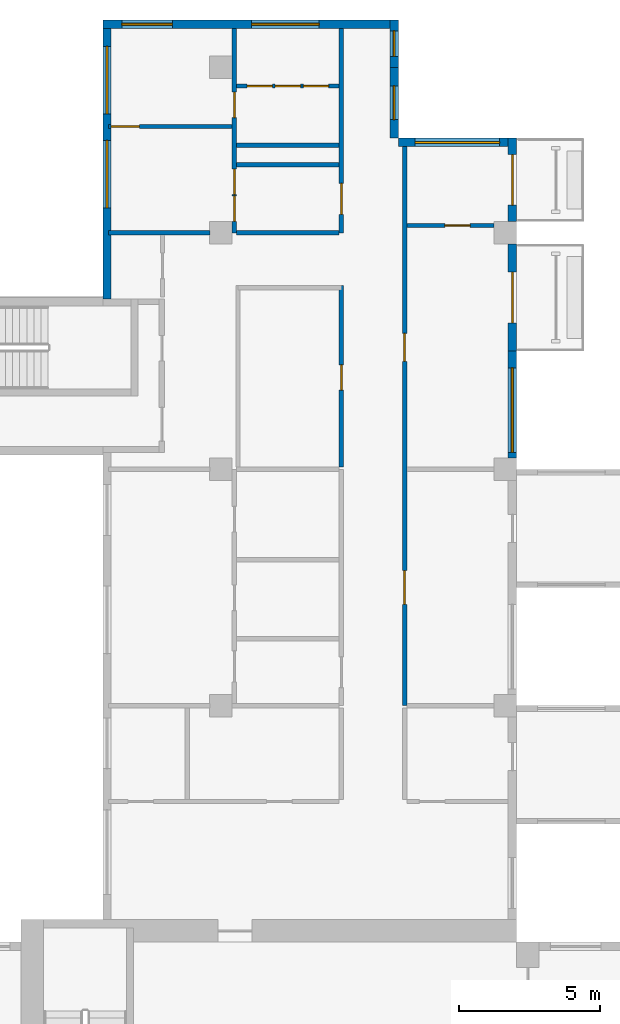
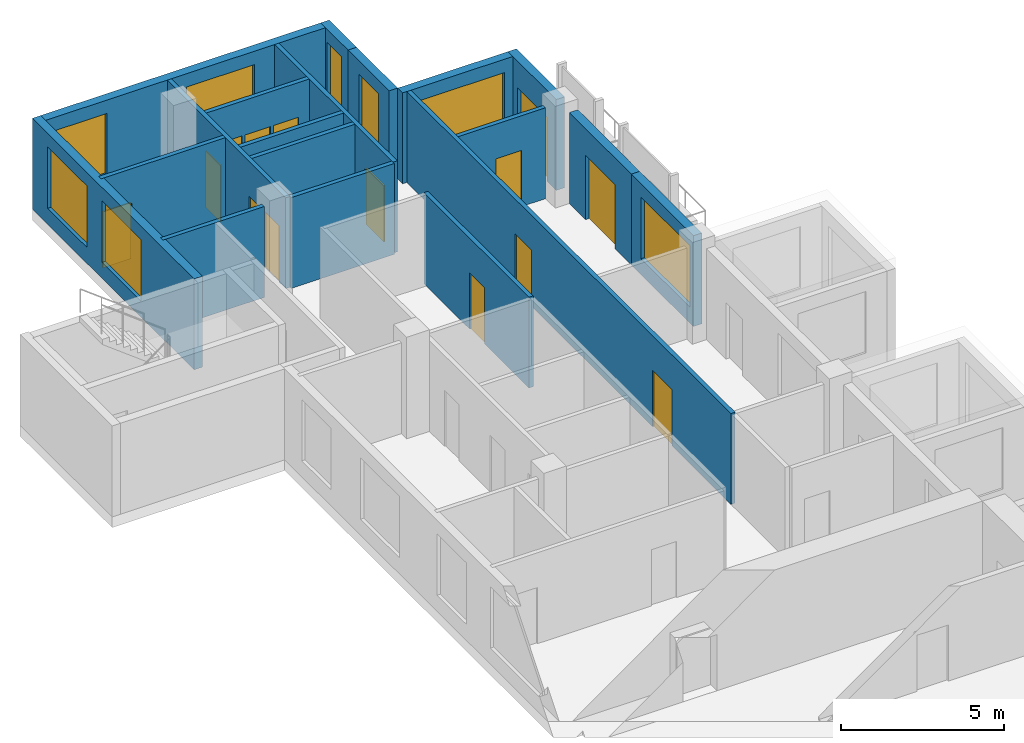
# One storey, part 7 of 11: 19 walls, 14 doors, 8 windows, 22 openings.
"""IFC4 building model written with IfcOpenShell, lengths in metres."""

import ifcopenshell
import ifcopenshell.guid

model = None  # the IFC model being written
_history = None  # IfcOwnerHistory: only IFC2X3 demands one
_inside = {}  # id of a spatial element -> (the spatial element, [elements in it])
_under = {}  # id of a project, library or spatial element -> (it, [spatial elements below it])
_declared = {}  # id of a project -> (the project, [libraries it declares])
_typed = {}  # id of a type object -> (the type object, [elements of that type])
_made_of = {}  # id of a material, layer set ... -> (it, [elements and type objects made of it])


def new_model(schema):
    """Start an empty IFC model of exactly this schema.

    Asked for "IFC4X3", IfcOpenShell would pick the latest addendum, in which some entities
    have other attributes; the version numbers below select the first issue.
    IFC2X3 requires an IfcOwnerHistory on every rooted entity: one is made here for all.
    """
    global model, _history
    if schema == "IFC4X3":
        model = ifcopenshell.file(schema_version=(4, 3, 0, 0))
    else:
        model = ifcopenshell.file(schema=schema)
    _inside.clear()
    _under.clear()
    _declared.clear()
    _typed.clear()
    _made_of.clear()
    _history = None
    if model.schema == "IFC2X3":
        org = make("IfcOrganization", Name="unknown")
        user = make(
            "IfcPersonAndOrganization",
            ThePerson=make("IfcPerson", FamilyName="unknown"),
            TheOrganization=org,
        )
        app = make(
            "IfcApplication",
            ApplicationDeveloper=org,
            Version="unknown",
            ApplicationFullName="unknown",
            ApplicationIdentifier="unknown",
        )
        _history = make(
            "IfcOwnerHistory",
            OwningUser=user,
            OwningApplication=app,
            ChangeAction="ADDED",
            CreationDate=0,
        )
    return model


def make(cls, **values):
    """One entity of the class cls with the attributes given. An attribute that is None is left unset."""
    return model.create_entity(
        cls, **{name: value for name, value in values.items() if value is not None}
    )


def rooted(cls, **values):
    """An entity with a GlobalId (a new one), such as an element, a storey or a relation."""
    return make(cls, GlobalId=ifcopenshell.guid.new(), OwnerHistory=_history, **values)


def si_unit(unit_type, name, prefix=None):
    """IfcSIUnit, for example si_unit("LENGTHUNIT", "METRE", prefix="MILLI")."""
    return make("IfcSIUnit", UnitType=unit_type, Prefix=prefix, Name=name)


def assignment(units):
    """IfcUnitAssignment: the units of a project."""
    return None if units is None else make("IfcUnitAssignment", Units=units)


def point(xyz):
    """IfcCartesianPoint."""
    return None if xyz is None else make("IfcCartesianPoint", Coordinates=xyz)


def direction(xyz):
    """IfcDirection."""
    return None if xyz is None else make("IfcDirection", DirectionRatios=xyz)


def frame(location, z_axis=None, x_axis=None):
    """IfcAxis2Placement3D, a coordinate frame: its origin and axes. An axis left out is left unset."""
    return make(
        "IfcAxis2Placement3D",
        Location=point(location),
        Axis=direction(z_axis),
        RefDirection=direction(x_axis),
    )


def frame_2d(location, x_axis=None):
    """IfcAxis2Placement2D, a coordinate frame in the plane: its origin and x axis."""
    return make(
        "IfcAxis2Placement2D", Location=point(location), RefDirection=direction(x_axis)
    )


def origin():
    """The frame at (0, 0, 0) with its axes left unset."""
    return frame((0.0, 0.0, 0.0))


def place(relative_to, where):
    """IfcLocalPlacement: puts the frame where relative to a parent placement (None: the world)."""
    return make(
        "IfcLocalPlacement", PlacementRelTo=relative_to, RelativePlacement=where
    )


def context(
    kind, dimensions, precision=None, world=None, true_north=None, identifier=None
):
    """IfcGeometricRepresentationContext, for example the 3D "Model" context."""
    return make(
        "IfcGeometricRepresentationContext",
        ContextIdentifier=identifier,
        ContextType=kind,
        CoordinateSpaceDimension=dimensions,
        Precision=precision,
        WorldCoordinateSystem=world,
        TrueNorth=true_north,
    )


def subcontext(parent, identifier, kind, view, scale=None):
    """IfcGeometricRepresentationSubContext, for example "Body" below "Model"."""
    return make(
        "IfcGeometricRepresentationSubContext",
        ContextIdentifier=identifier,
        ContextType=kind,
        ParentContext=parent,
        TargetScale=scale,
        TargetView=view,
    )


def project(units=None, contexts=None):
    """IfcProject with its units and contexts."""
    return rooted(
        "IfcProject",
        Name="project",
        RepresentationContexts=contexts,
        UnitsInContext=assignment(units),
    )


def spatial(cls, under=None, at=None, **own):
    """A site, building, storey or space (cls), placed at a placement, below another one or the project."""
    s = rooted(cls, ObjectPlacement=at, **own)
    if under is not None:
        _under.setdefault(under.id(), (under, []))[1].append(s)
    return s


def profile(cls, at=None, kind="AREA", **sizes):
    """A parametric profile (cls). Its sizes go by their IFC names, for example OverallWidth=200.0."""
    return make(cls, ProfileType=kind, Position=at, **sizes)


def rectangle(**sizes):
    """IfcRectangleProfileDef."""
    return profile("IfcRectangleProfileDef", **sizes)


def extrude(swept, where, along, depth):
    """IfcExtrudedAreaSolid: the profile swept, set in the frame where, extruded along a direction by depth."""
    return make(
        "IfcExtrudedAreaSolid",
        SweptArea=swept,
        Position=where,
        ExtrudedDirection=direction(along),
        Depth=depth,
    )


def shape(context_of_items, identifier, shape_type, items):
    """IfcShapeRepresentation: the items that make up one representation, for example the "Body"."""
    return make(
        "IfcShapeRepresentation",
        ContextOfItems=context_of_items,
        RepresentationIdentifier=identifier,
        RepresentationType=shape_type,
        Items=items,
    )


def source(mapping_origin, context_of_items, identifier, shape_type, items):
    """IfcRepresentationMap: a shape defined once, which mapped items show again and again."""
    return make(
        "IfcRepresentationMap",
        MappingOrigin=mapping_origin,
        MappedRepresentation=shape(context_of_items, identifier, shape_type, items),
    )


def transform(
    local_origin,
    x_axis=None,
    y_axis=None,
    z_axis=None,
    scale=None,
    scale2=None,
    scale3=None,
    uniform=True,
):
    """IfcCartesianTransformationOperator3D, or its non-uniform kind. x_axis, y_axis, z_axis: its Axis1, 2, 3."""
    if uniform:
        return make(
            "IfcCartesianTransformationOperator3D",
            Axis1=direction(x_axis),
            Axis2=direction(y_axis),
            LocalOrigin=point(local_origin),
            Scale=scale,
            Axis3=direction(z_axis),
        )
    return make(
        "IfcCartesianTransformationOperator3DnonUniform",
        Axis1=direction(x_axis),
        Axis2=direction(y_axis),
        LocalOrigin=point(local_origin),
        Scale=scale,
        Axis3=direction(z_axis),
        Scale2=scale2,
        Scale3=scale3,
    )


def mapped(mapping_source, mapping_target):
    """IfcMappedItem: shows the shape of a source again, moved by a transform."""
    return make(
        "IfcMappedItem", MappingSource=mapping_source, MappingTarget=mapping_target
    )


def material(Name=None, Category=None):
    """IfcMaterial."""
    return make("IfcMaterial", Name=Name, Category=Category)


def layer(
    of_material, thickness, ventilated=None, Name=None, Category=None, Priority=None
):
    """IfcMaterialLayer: one layer of a wall or slab, of a material (None: an air gap)."""
    return make(
        "IfcMaterialLayer",
        Material=of_material,
        LayerThickness=thickness,
        IsVentilated=ventilated,
        Name=Name,
        Category=Category,
        Priority=Priority,
    )


def layer_set(layers, Name=None):
    """IfcMaterialLayerSet."""
    return make("IfcMaterialLayerSet", MaterialLayers=layers, LayerSetName=Name)


def made_of(thing, what):
    """Note that an element or type object is made of a material, layer set ...; save() writes the relation."""
    if what is not None:
        _made_of.setdefault(what.id(), (what, []))[1].append(thing)
    return thing


def type_object(cls, material=None, **own):
    """A type object (cls), such as IfcWallType, which elements share."""
    return made_of(rooted(cls, **own), material)


def element(
    cls,
    number,
    at=None,
    inside=None,
    cuts=None,
    type_object=None,
    material=None,
    context=None,
    identifier="Body",
    shape_type=None,
    held_by="IfcProductDefinitionShape",
    body=None,
    shapes=None,
    **own,
):
    """One element of the class cls, such as IfcWall. Its Tag is "e" and its number.

    at: its placement. inside: the storey or other place that contains it. cuts: it is an
    opening in that element (IfcRelVoidsElement). A single representation is given by context,
    identifier, shape_type and body (its items); several are given by shapes. held_by: the class
    of the entity that holds the representations. save() writes the other relations.
    """
    e = rooted(cls, Tag="e%d" % number, ObjectPlacement=at, **own)
    if body is not None:
        shapes = [shape(context, identifier, shape_type, body)]
    if shapes is not None:
        e.Representation = make(held_by, Representations=shapes)
    if inside is not None:
        _inside.setdefault(inside.id(), (inside, []))[1].append(e)
    if cuts is not None:
        rooted(
            "IfcRelVoidsElement", RelatingBuildingElement=cuts, RelatedOpeningElement=e
        )
    if type_object is not None:
        _typed.setdefault(type_object.id(), (type_object, []))[1].append(e)
    return made_of(e, material)


def fill(opening, filler):
    """IfcRelFillsElement: the door or window that sits in an opening."""
    return rooted(
        "IfcRelFillsElement",
        RelatingOpeningElement=opening,
        RelatedBuildingElement=filler,
    )


def aggregate(whole, parts):
    """IfcRelAggregates: a whole, such as a stair, and the parts it consists of."""
    return rooted("IfcRelAggregates", RelatingObject=whole, RelatedObjects=parts)


def save(model, path):
    """Write the relations noted so far, then the file.

    IfcRelAggregates (storeys below a building ...), IfcRelContainedInSpatialStructure (elements
    in a storey), IfcRelDefinesByType, IfcRelAssociatesMaterial and IfcRelDeclares: one each for
    every whole, place, type object, material and project.
    """
    for whole, parts in _under.values():
        aggregate(whole, parts)
    for where, things in _inside.values():
        rooted(
            "IfcRelContainedInSpatialStructure",
            RelatedElements=things,
            RelatingStructure=where,
        )
    for kind, things in _typed.values():
        rooted("IfcRelDefinesByType", RelatedObjects=things, RelatingType=kind)
    for what, things in _made_of.values():
        rooted("IfcRelAssociatesMaterial", RelatedObjects=things, RelatingMaterial=what)
    for by, libraries in _declared.values():
        rooted("IfcRelDeclares", RelatingContext=by, RelatedDefinitions=libraries)
    model.write(path)


model = new_model("IFC4")

# Units and contexts
model_context = context("Model", 3, precision=1e-05, world=origin(), true_north=direction((0.0, 1.0)))
body_context = subcontext(model_context, "Body", "Model", "MODEL_VIEW")
ifc_project = project(units=[si_unit("LENGTHUNIT", "METRE"), si_unit("AREAUNIT", "SQUARE_METRE"), si_unit("VOLUMEUNIT", "CUBIC_METRE"), si_unit("PLANEANGLEUNIT", "RADIAN"), si_unit("MASSUNIT", "GRAM", prefix="KILO")], contexts=[model_context])

# Site, building, storey
site_placement = place(None, origin())
site = spatial("IfcSite", under=ifc_project, at=site_placement, CompositionType="ELEMENT")
building_placement = place(site_placement, origin())
building = spatial("IfcBuilding", under=site, at=building_placement, Name="Aurelian Terraces", CompositionType="ELEMENT")
storey_placement = place(building_placement, frame((0.0, 0.0, 261.4)))
storey = spatial("IfcBuildingStorey", under=building, at=storey_placement, Name="L60", CompositionType="ELEMENT", Elevation=261.4)

# Wall, opening, door
ifc_material_1 = material(Name="Gypsum board on steel studs", Category="steel")
ifc_layer_1 = layer(ifc_material_1, 0.15)
ifc_layer_set_1 = layer_set([ifc_layer_1], Name="Partition 150")
wall_type_1 = type_object("IfcWallType", Name="Partition 150", PredefinedType="PARTITIONING", material=ifc_layer_set_1)
wall_1_placement = place(storey_placement, frame((10.9, 49.98, 0.0), z_axis=(0.0, 0.0, 1.0), x_axis=(-1.0, 0.0, 0.0)))
wall_1 = element("IfcWall", 1, at=wall_1_placement, inside=storey, type_object=wall_type_1, Name="Partition", PredefinedType="PARTITIONING", context=body_context, shape_type="SweptSolid", body=[
    extrude(rectangle(XDim=4.395, YDim=0.15, at=frame_2d((2.1975, 0.0))), origin(), (0.0, 0.0, 1.0), 3.4),
])
shared_shape_1 = source(origin(), body_context, "Body", "SweptSolid", [
    extrude(rectangle(XDim=1.0, YDim=2.1, at=frame_2d((0.5, 1.05))), frame((0.0, 0.085, 0.0), z_axis=(0.0, -1.0, 0.0), x_axis=(1.0, 0.0, 0.0)), (0.0, 0.0, 1.0), 0.17),
])
opening_1_placement = place(wall_1_placement, frame((3.3, 0.0, 0.0)))
opening_1 = element("IfcOpeningElement", 2, at=opening_1_placement, cuts=wall_1, Name="Opening 760029", PredefinedType="OPENING", context=body_context, shape_type="MappedRepresentation", body=[
    mapped(shared_shape_1, transform((0.0, 0.0, 0.0), scale=1.0)),
])
ifc_material_2 = material(Name="Timber door leaf", Category="wood")
door_type_1 = type_object("IfcDoorType", Name="Room door 1000x2100 left", OperationType="SINGLE_SWING_LEFT", PredefinedType="DOOR", material=ifc_material_2)
shared_shape_2 = source(origin(), body_context, "Body", "SweptSolid", [
    extrude(rectangle(XDim=1.0, YDim=2.1, at=frame_2d((0.5, 1.05))), frame((0.0, 0.025, 0.0), z_axis=(0.0, -1.0, 0.0), x_axis=(1.0, 0.0, 0.0)), (0.0, 0.0, 1.0), 0.05),
])
door_1_placement = place(opening_1_placement, origin())
door_1 = element("IfcDoor", 3, at=door_1_placement, inside=storey, type_object=door_type_1, Name="Door 760029", OperationType="SINGLE_SWING_LEFT", OverallHeight=2.1, OverallWidth=1.0, PredefinedType="DOOR", context=body_context, shape_type="MappedRepresentation", body=[
    mapped(shared_shape_2, transform((0.0, 0.0, 0.0), scale=1.0)),
])
fill(opening_1, door_1)

# Wall, opening, window
ifc_material_3 = material(Name="Terracotta rainscreen cladding", Category="masonry")
ifc_layer_2 = layer(ifc_material_3, 0.3)
ifc_layer_set_2 = layer_set([ifc_layer_2], Name="EW-300")
wall_type_2 = type_object("IfcWallType", Name="EW-300", PredefinedType="STANDARD", material=ifc_layer_set_2)
shared_shape_3 = source(origin(), body_context, "Body", "SweptSolid", [
    extrude(rectangle(XDim=4.2, YDim=0.3, at=frame_2d((2.1, 0.0))), origin(), (0.0, 0.0, 1.0), 3.4),
])
wall_2_placement = place(storey_placement, frame((21.0, 49.41, 0.0), z_axis=(0.0, 0.0, 1.0), x_axis=(-1.0, 0.0, 0.0)))
wall_2 = element("IfcWall", 4, at=wall_2_placement, inside=storey, type_object=wall_type_2, Name="External wall L60 F13.25", PredefinedType="STANDARD", context=body_context, shape_type="MappedRepresentation", body=[
    mapped(shared_shape_3, transform((0.0, 0.0, 0.0), scale=1.0)),
])
shared_shape_4 = source(origin(), body_context, "Body", "SweptSolid", [
    extrude(rectangle(XDim=3.0, YDim=2.3, at=frame_2d((1.5, 1.15))), frame((0.0, 0.16, 0.0), z_axis=(0.0, -1.0, 0.0), x_axis=(1.0, 0.0, 0.0)), (0.0, 0.0, 1.0), 0.32),
])
opening_2_placement = place(wall_2_placement, frame((0.6, 0.0, 0.6)))
opening_2 = element("IfcOpeningElement", 5, at=opening_2_placement, cuts=wall_2, Name="Opening W3023", PredefinedType="OPENING", context=body_context, shape_type="MappedRepresentation", body=[
    mapped(shared_shape_4, transform((0.0, 0.0, 0.0), scale=1.0)),
])
ifc_material_4 = material(Name="Clear glazing", Category="glass")
window_type_1 = type_object("IfcWindowType", Name="W-3000x2300", PartitioningType="SINGLE_PANEL", PredefinedType="WINDOW", material=ifc_material_4)
shared_shape_5 = source(origin(), body_context, "Body", "SweptSolid", [
    extrude(rectangle(XDim=3.0, YDim=2.3, at=frame_2d((1.5, 1.15))), frame((0.0, 0.03, 0.0), z_axis=(0.0, -1.0, 0.0), x_axis=(1.0, 0.0, 0.0)), (0.0, 0.0, 1.0), 0.06),
])
window_1_placement = place(opening_2_placement, origin())
window_1 = element("IfcWindow", 6, at=window_1_placement, inside=storey, type_object=window_type_1, Name="Window L60 L60-F13-25-0", OverallHeight=2.3, OverallWidth=3.0, PartitioningType="SINGLE_PANEL", PredefinedType="WINDOW", context=body_context, shape_type="MappedRepresentation", body=[
    mapped(shared_shape_5, transform((0.0, 0.0, 0.0), scale=1.0)),
])
fill(opening_2, window_1)

shared_shape_6 = source(origin(), body_context, "Body", "SweptSolid", [
    extrude(rectangle(XDim=2.52, YDim=0.3, at=frame_2d((1.26, 0.0))), origin(), (0.0, 0.0, 1.0), 3.4),
])
wall_3_placement = place(storey_placement, frame((16.65, 49.56, 0.0), z_axis=(0.0, 0.0, 1.0), x_axis=(0.0, 1.0, 0.0)))
wall_3 = element("IfcWall", 7, at=wall_3_placement, inside=storey, type_object=wall_type_2, Name="External wall L60 F14.26", PredefinedType="STANDARD", context=body_context, shape_type="MappedRepresentation", body=[
    mapped(shared_shape_6, transform((0.0, 0.0, 0.0), scale=1.0)),
])
shared_shape_7 = source(origin(), body_context, "Body", "SweptSolid", [
    extrude(rectangle(XDim=1.2, YDim=2.3, at=frame_2d((0.6, 1.15))), frame((0.0, 0.16, 0.0), z_axis=(0.0, -1.0, 0.0), x_axis=(1.0, 0.0, 0.0)), (0.0, 0.0, 1.0), 0.32),
])
opening_3_placement = place(wall_3_placement, frame((0.66, 0.0, 0.6)))
opening_3 = element("IfcOpeningElement", 8, at=opening_3_placement, cuts=wall_3, Name="Opening W1223", PredefinedType="OPENING", context=body_context, shape_type="MappedRepresentation", body=[
    mapped(shared_shape_7, transform((0.0, 0.0, 0.0), scale=1.0)),
])
window_type_2 = type_object("IfcWindowType", Name="W-1200x2300", PartitioningType="SINGLE_PANEL", PredefinedType="WINDOW", material=ifc_material_4)
shared_shape_8 = source(origin(), body_context, "Body", "SweptSolid", [
    extrude(rectangle(XDim=1.2, YDim=2.3, at=frame_2d((0.6, 1.15))), frame((0.0, 0.03, 0.0), z_axis=(0.0, -1.0, 0.0), x_axis=(1.0, 0.0, 0.0)), (0.0, 0.0, 1.0), 0.06),
])
window_2_placement = place(opening_3_placement, origin())
window_2 = element("IfcWindow", 9, at=window_2_placement, inside=storey, type_object=window_type_2, Name="Window L60 L60-F14-26-0", OverallHeight=2.3, OverallWidth=1.2, PartitioningType="SINGLE_PANEL", PredefinedType="WINDOW", context=body_context, shape_type="MappedRepresentation", body=[
    mapped(shared_shape_8, transform((0.0, 0.0, 0.0), scale=1.0)),
])
fill(opening_3, window_2)

shared_shape_9 = source(origin(), body_context, "Body", "SweptSolid", [
    extrude(rectangle(XDim=1.68, YDim=0.3, at=frame_2d((0.84, 0.0))), origin(), (0.0, 0.0, 1.0), 3.4),
])
wall_4_placement = place(storey_placement, frame((16.65, 52.08, 0.0), z_axis=(0.0, 0.0, 1.0), x_axis=(0.0, 1.0, 0.0)))
wall_4 = element("IfcWall", 10, at=wall_4_placement, inside=storey, type_object=wall_type_2, Name="External wall L60 F14.27", PredefinedType="STANDARD", context=body_context, shape_type="MappedRepresentation", body=[
    mapped(shared_shape_9, transform((0.0, 0.0, 0.0), scale=1.0)),
])
shared_shape_10 = source(origin(), body_context, "Body", "SweptSolid", [
    extrude(rectangle(XDim=0.9, YDim=2.3, at=frame_2d((0.45, 1.15))), frame((0.0, 0.16, 0.0), z_axis=(0.0, -1.0, 0.0), x_axis=(1.0, 0.0, 0.0)), (0.0, 0.0, 1.0), 0.32),
])
opening_4_placement = place(wall_4_placement, frame((0.39, 0.0, 0.6)))
opening_4 = element("IfcOpeningElement", 11, at=opening_4_placement, cuts=wall_4, Name="Opening W0923", PredefinedType="OPENING", context=body_context, shape_type="MappedRepresentation", body=[
    mapped(shared_shape_10, transform((0.0, 0.0, 0.0), scale=1.0)),
])
window_type_3 = type_object("IfcWindowType", Name="W-900x2300", PartitioningType="SINGLE_PANEL", PredefinedType="WINDOW", material=ifc_material_4)
shared_shape_11 = source(origin(), body_context, "Body", "SweptSolid", [
    extrude(rectangle(XDim=0.9, YDim=2.3, at=frame_2d((0.45, 1.15))), frame((0.0, 0.03, 0.0), z_axis=(0.0, -1.0, 0.0), x_axis=(1.0, 0.0, 0.0)), (0.0, 0.0, 1.0), 0.06),
])
window_3_placement = place(opening_4_placement, origin())
window_3 = element("IfcWindow", 12, at=window_3_placement, inside=storey, type_object=window_type_3, Name="Window L60 L60-F14-27-P0", OverallHeight=2.3, OverallWidth=0.9, PartitioningType="SINGLE_PANEL", PredefinedType="WINDOW", context=body_context, shape_type="MappedRepresentation", body=[
    mapped(shared_shape_11, transform((0.0, 0.0, 0.0), scale=1.0)),
])
fill(opening_4, window_3)

# Wall, openings, windows
shared_shape_12 = source(origin(), body_context, "Body", "SweptSolid", [
    extrude(rectangle(XDim=10.5, YDim=0.3, at=frame_2d((5.25, 0.0))), origin(), (0.0, 0.0, 1.0), 3.4),
])
wall_5_placement = place(storey_placement, frame((16.8, 53.61, 0.0), z_axis=(0.0, 0.0, 1.0), x_axis=(-1.0, 0.0, 0.0)))
wall_5 = element("IfcWall", 13, at=wall_5_placement, inside=storey, type_object=wall_type_2, Name="External wall L60 F15.28", PredefinedType="STANDARD", context=body_context, shape_type="MappedRepresentation", body=[
    mapped(shared_shape_12, transform((0.0, 0.0, 0.0), scale=1.0)),
])
shared_shape_13 = source(origin(), body_context, "Body", "SweptSolid", [
    extrude(rectangle(XDim=1.8, YDim=2.3, at=frame_2d((0.9, 1.15))), frame((0.0, 0.16, 0.0), z_axis=(0.0, -1.0, 0.0), x_axis=(1.0, 0.0, 0.0)), (0.0, 0.0, 1.0), 0.32),
])
opening_5_placement = place(wall_5_placement, frame((8.025, 0.0, 0.6)))
opening_5 = element("IfcOpeningElement", 14, at=opening_5_placement, cuts=wall_5, Name="Opening W1823", PredefinedType="OPENING", context=body_context, shape_type="MappedRepresentation", body=[
    mapped(shared_shape_13, transform((0.0, 0.0, 0.0), scale=1.0)),
])
shared_shape_14 = source(origin(), body_context, "Body", "SweptSolid", [
    extrude(rectangle(XDim=2.4, YDim=2.3, at=frame_2d((1.2, 1.15))), frame((0.0, 0.16, 0.0), z_axis=(0.0, -1.0, 0.0), x_axis=(1.0, 0.0, 0.0)), (0.0, 0.0, 1.0), 0.32),
])
opening_6_placement = place(wall_5_placement, frame((2.8125, 0.0, 0.6)))
opening_6 = element("IfcOpeningElement", 15, at=opening_6_placement, cuts=wall_5, Name="Opening W2423", PredefinedType="OPENING", context=body_context, shape_type="MappedRepresentation", body=[
    mapped(shared_shape_14, transform((0.0, 0.0, 0.0), scale=1.0)),
])
window_type_4 = type_object("IfcWindowType", Name="W-1800x2300", PartitioningType="SINGLE_PANEL", PredefinedType="WINDOW", material=ifc_material_4)
shared_shape_15 = source(origin(), body_context, "Body", "SweptSolid", [
    extrude(rectangle(XDim=1.8, YDim=2.3, at=frame_2d((0.9, 1.15))), frame((0.0, 0.03, 0.0), z_axis=(0.0, -1.0, 0.0), x_axis=(1.0, 0.0, 0.0)), (0.0, 0.0, 1.0), 0.06),
])
window_4_placement = place(opening_5_placement, origin())
window_4 = element("IfcWindow", 16, at=window_4_placement, inside=storey, type_object=window_type_4, Name="Window L60 L60-F15-28-2", OverallHeight=2.3, OverallWidth=1.8, PartitioningType="SINGLE_PANEL", PredefinedType="WINDOW", context=body_context, shape_type="MappedRepresentation", body=[
    mapped(shared_shape_15, transform((0.0, 0.0, 0.0), scale=1.0)),
])
fill(opening_5, window_4)
window_type_5 = type_object("IfcWindowType", Name="W-2400x2300", PartitioningType="SINGLE_PANEL", PredefinedType="WINDOW", material=ifc_material_4)
shared_shape_16 = source(origin(), body_context, "Body", "SweptSolid", [
    extrude(rectangle(XDim=2.4, YDim=2.3, at=frame_2d((1.2, 1.15))), frame((0.0, 0.03, 0.0), z_axis=(0.0, -1.0, 0.0), x_axis=(1.0, 0.0, 0.0)), (0.0, 0.0, 1.0), 0.06),
])
window_5_placement = place(opening_6_placement, origin())
window_5 = element("IfcWindow", 17, at=window_5_placement, inside=storey, type_object=window_type_5, Name="Window L60 L60-F15-28-G0-0", OverallHeight=2.3, OverallWidth=2.4, PartitioningType="SINGLE_PANEL", PredefinedType="WINDOW", context=body_context, shape_type="MappedRepresentation", body=[
    mapped(shared_shape_16, transform((0.0, 0.0, 0.0), scale=1.0)),
])
fill(opening_6, window_5)

shared_shape_17 = source(origin(), body_context, "Body", "SweptSolid", [
    extrude(rectangle(XDim=9.91, YDim=0.3, at=frame_2d((4.955, 0.0))), origin(), (0.0, 0.0, 1.0), 3.4),
])
wall_6_placement = place(storey_placement, frame((6.45, 53.76, 0.0), z_axis=(0.0, 0.0, 1.0), x_axis=(0.0, -1.0, 0.0)))
wall_6 = element("IfcWall", 18, at=wall_6_placement, inside=storey, type_object=wall_type_2, Name="External wall L60 F16.29", PredefinedType="STANDARD", context=body_context, shape_type="MappedRepresentation", body=[
    mapped(shared_shape_17, transform((0.0, 0.0, 0.0), scale=1.0)),
])
opening_7_placement = place(wall_6_placement, frame((4.2725, 0.0, 0.6)))
opening_7 = element("IfcOpeningElement", 19, at=opening_7_placement, cuts=wall_6, Name="Opening W2423", PredefinedType="OPENING", context=body_context, shape_type="MappedRepresentation", body=[
    mapped(shared_shape_14, transform((0.0, 0.0, 0.0), scale=1.0)),
])
opening_8_placement = place(wall_6_placement, frame((0.9363, 0.0, 0.6)))
opening_8 = element("IfcOpeningElement", 20, at=opening_8_placement, cuts=wall_6, Name="Opening W2423", PredefinedType="OPENING", context=body_context, shape_type="MappedRepresentation", body=[
    mapped(shared_shape_14, transform((0.0, 0.0, 0.0), scale=1.0)),
])
window_6_placement = place(opening_7_placement, origin())
window_6 = element("IfcWindow", 21, at=window_6_placement, inside=storey, type_object=window_type_5, Name="Window L60 L60-F16-29-1", OverallHeight=2.3, OverallWidth=2.4, PartitioningType="SINGLE_PANEL", PredefinedType="WINDOW", context=body_context, shape_type="MappedRepresentation", body=[
    mapped(shared_shape_16, transform((0.0, 0.0, 0.0), scale=1.0)),
])
fill(opening_7, window_6)
window_7_placement = place(opening_8_placement, origin())
window_7 = element("IfcWindow", 22, at=window_7_placement, inside=storey, type_object=window_type_5, Name="Window L60 L60-F16-29-G0-0", OverallHeight=2.3, OverallWidth=2.4, PartitioningType="SINGLE_PANEL", PredefinedType="WINDOW", context=body_context, shape_type="MappedRepresentation", body=[
    mapped(shared_shape_16, transform((0.0, 0.0, 0.0), scale=1.0)),
])
fill(opening_8, window_7)

# Wall, opening, door
shared_shape_18 = source(origin(), body_context, "Body", "SweptSolid", [
    extrude(rectangle(XDim=2.96, YDim=0.3, at=frame_2d((1.48, 0.0))), origin(), (0.0, 0.0, 1.0), 3.4),
])
wall_7_placement = place(storey_placement, frame((20.85, 46.6, 0.0), z_axis=(0.0, 0.0, 1.0), x_axis=(0.0, 1.0, 0.0)))
wall_7 = element("IfcWall", 23, at=wall_7_placement, inside=storey, type_object=wall_type_2, Name="External wall L60 F12.24", PredefinedType="STANDARD", context=body_context, shape_type="MappedRepresentation", body=[
    mapped(shared_shape_18, transform((0.0, 0.0, 0.0), scale=1.0)),
])
shared_shape_19 = source(origin(), body_context, "Body", "SweptSolid", [
    extrude(rectangle(XDim=1.8, YDim=2.4, at=frame_2d((0.9, 1.2))), frame((0.0, 0.16, 0.0), z_axis=(0.0, -1.0, 0.0), x_axis=(1.0, 0.0, 0.0)), (0.0, 0.0, 1.0), 0.32),
])
opening_9_placement = place(wall_7_placement, frame((0.58, 0.0, 0.0)))
opening_9 = element("IfcOpeningElement", 24, at=opening_9_placement, cuts=wall_7, Name="Opening 86003", PredefinedType="OPENING", context=body_context, shape_type="MappedRepresentation", body=[
    mapped(shared_shape_19, transform((0.0, 0.0, 0.0), scale=1.0)),
])
door_type_2 = type_object("IfcDoorType", Name="BD-1800x2400", OperationType="SLIDING_TO_LEFT", PredefinedType="DOOR", material=ifc_material_4)
shared_shape_20 = source(origin(), body_context, "Body", "SweptSolid", [
    extrude(rectangle(XDim=1.8, YDim=2.4, at=frame_2d((0.9, 1.2))), frame((0.0, 0.025, 0.0), z_axis=(0.0, -1.0, 0.0), x_axis=(1.0, 0.0, 0.0)), (0.0, 0.0, 1.0), 0.05),
])
door_2_placement = place(opening_9_placement, origin())
door_2 = element("IfcDoor", 25, at=door_2_placement, inside=storey, type_object=door_type_2, Name="Balcony door L60 F12.24", OperationType="SLIDING_TO_LEFT", OverallHeight=2.4, OverallWidth=1.8, PredefinedType="DOOR", context=body_context, shape_type="MappedRepresentation", body=[
    mapped(shared_shape_20, transform((0.0, 0.0, 0.0), scale=1.0)),
])
fill(opening_9, door_2)

# Wall, opening, window
shared_shape_21 = source(origin(), body_context, "Body", "SweptSolid", [
    extrude(rectangle(XDim=3.8, YDim=0.3, at=frame_2d((1.9, 0.0))), origin(), (0.0, 0.0, 1.0), 3.4),
])
wall_8_placement = place(storey_placement, frame((20.85, 38.2, 0.0), z_axis=(0.0, 0.0, 1.0), x_axis=(0.0, 1.0, 0.0)))
wall_8 = element("IfcWall", 26, at=wall_8_placement, inside=storey, type_object=wall_type_2, Name="External wall L60 F12.22", PredefinedType="STANDARD", context=body_context, shape_type="MappedRepresentation", body=[
    mapped(shared_shape_21, transform((0.0, 0.0, 0.0), scale=1.0)),
])
opening_10_placement = place(wall_8_placement, frame((0.2, 0.0, 0.6)))
opening_10 = element("IfcOpeningElement", 27, at=opening_10_placement, cuts=wall_8, Name="Opening W3023", PredefinedType="OPENING", context=body_context, shape_type="MappedRepresentation", body=[
    mapped(shared_shape_4, transform((0.0, 0.0, 0.0), scale=1.0)),
])
window_8_placement = place(opening_10_placement, origin())
window_8 = element("IfcWindow", 28, at=window_8_placement, inside=storey, type_object=window_type_1, Name="Window L60 L60-F12-22-0", OverallHeight=2.3, OverallWidth=3.0, PartitioningType="SINGLE_PANEL", PredefinedType="WINDOW", context=body_context, shape_type="MappedRepresentation", body=[
    mapped(shared_shape_5, transform((0.0, 0.0, 0.0), scale=1.0)),
])
fill(opening_10, window_8)

# Wall, opening, door
wall_9_placement = place(storey_placement, frame((20.85, 42.0, 0.0), z_axis=(0.0, 0.0, 1.0), x_axis=(0.0, 1.0, 0.0)))
wall_9 = element("IfcWall", 29, at=wall_9_placement, inside=storey, type_object=wall_type_2, Name="External wall L60 F12.23", PredefinedType="STANDARD", context=body_context, shape_type="MappedRepresentation", body=[
    mapped(shared_shape_21, transform((0.0, 0.0, 0.0), scale=1.0)),
])
opening_11_placement = place(wall_9_placement, frame((1.0, 0.0, 0.0)))
opening_11 = element("IfcOpeningElement", 30, at=opening_11_placement, cuts=wall_9, Name="Opening 86002", PredefinedType="OPENING", context=body_context, shape_type="MappedRepresentation", body=[
    mapped(shared_shape_19, transform((0.0, 0.0, 0.0), scale=1.0)),
])
door_3_placement = place(opening_11_placement, origin())
door_3 = element("IfcDoor", 31, at=door_3_placement, inside=storey, type_object=door_type_2, Name="Balcony door L60 F12.23", OperationType="SLIDING_TO_LEFT", OverallHeight=2.4, OverallWidth=1.8, PredefinedType="DOOR", context=body_context, shape_type="MappedRepresentation", body=[
    mapped(shared_shape_20, transform((0.0, 0.0, 0.0), scale=1.0)),
])
fill(opening_11, door_3)

ifc_layer_3 = layer(ifc_material_1, 0.15)
ifc_layer_set_3 = layer_set([ifc_layer_3], Name="Fire partition 150")
wall_type_3 = type_object("IfcWallType", Name="Fire partition 150", PredefinedType="PARTITIONING", material=ifc_layer_set_3)
shared_shape_22 = source(origin(), body_context, "Body", "SweptSolid", [
    extrude(rectangle(XDim=6.45, YDim=0.15, at=frame_2d((3.225, 0.0))), origin(), (0.0, 0.0, 1.0), 3.4),
])
wall_10_placement = place(storey_placement, frame((14.775, 37.875, 0.0), z_axis=(0.0, 0.0, 1.0), x_axis=(0.0, 1.0, 0.0)))
wall_10 = element("IfcWall", 32, at=wall_10_placement, inside=storey, type_object=wall_type_3, Name="Corridor wall", PredefinedType="PARTITIONING", context=body_context, shape_type="MappedRepresentation", body=[
    mapped(shared_shape_22, transform((0.0, 0.0, 0.0), scale=1.0)),
])
shared_shape_23 = source(origin(), body_context, "Body", "SweptSolid", [
    extrude(rectangle(XDim=0.9, YDim=2.1, at=frame_2d((0.45, 1.05))), frame((0.0, 0.085, 0.0), z_axis=(0.0, -1.0, 0.0), x_axis=(1.0, 0.0, 0.0)), (0.0, 0.0, 1.0), 0.17),
])
opening_12_placement = place(wall_10_placement, frame((2.7375, 0.0, 0.0)))
opening_12 = element("IfcOpeningElement", 33, at=opening_12_placement, cuts=wall_10, Name="Opening 760019", PredefinedType="OPENING", context=body_context, shape_type="MappedRepresentation", body=[
    mapped(shared_shape_23, transform((0.0, 0.0, 0.0), scale=1.0)),
])
door_type_3 = type_object("IfcDoorType", Name="Room door 900x2100 left", OperationType="SINGLE_SWING_LEFT", PredefinedType="DOOR", material=ifc_material_2)
shared_shape_24 = source(origin(), body_context, "Body", "SweptSolid", [
    extrude(rectangle(XDim=0.9, YDim=2.1, at=frame_2d((0.45, 1.05))), frame((0.0, 0.025, 0.0), z_axis=(0.0, -1.0, 0.0), x_axis=(1.0, 0.0, 0.0)), (0.0, 0.0, 1.0), 0.05),
])
door_4_placement = place(opening_12_placement, origin())
door_4 = element("IfcDoor", 34, at=door_4_placement, inside=storey, type_object=door_type_3, Name="Door 760019", OperationType="SINGLE_SWING_LEFT", OverallHeight=2.1, OverallWidth=0.9, PredefinedType="DOOR", context=body_context, shape_type="MappedRepresentation", body=[
    mapped(shared_shape_24, transform((0.0, 0.0, 0.0), scale=1.0)),
])
fill(opening_12, door_4)

# Wall, openings, doors
shared_shape_25 = source(origin(), body_context, "Body", "SweptSolid", [
    extrude(rectangle(XDim=7.26, YDim=0.15, at=frame_2d((3.63, 0.0))), origin(), (0.0, 0.0, 1.0), 3.4),
])
wall_11_placement = place(storey_placement, frame((10.975, 46.2, 0.0), z_axis=(0.0, 0.0, 1.0), x_axis=(0.0, 1.0, 0.0)))
wall_11 = element("IfcWall", 35, at=wall_11_placement, inside=storey, type_object=wall_type_1, Name="Partition", PredefinedType="PARTITIONING", context=body_context, shape_type="MappedRepresentation", body=[
    mapped(shared_shape_25, transform((0.0, 0.0, 0.0), scale=1.0)),
])
opening_13_placement = place(wall_11_placement, frame((1.361, 0.0, 0.0)))
opening_13 = element("IfcOpeningElement", 36, at=opening_13_placement, cuts=wall_11, Name="Opening 760026", PredefinedType="OPENING", context=body_context, shape_type="MappedRepresentation", body=[
    mapped(shared_shape_23, transform((0.0, 0.0, 0.0), scale=1.0)),
])
opening_14_placement = place(wall_11_placement, frame((0.41, 0.0, 0.0)))
opening_14 = element("IfcOpeningElement", 37, at=opening_14_placement, cuts=wall_11, Name="Opening 760027", PredefinedType="OPENING", context=body_context, shape_type="MappedRepresentation", body=[
    mapped(shared_shape_23, transform((0.0, 0.0, 0.0), scale=1.0)),
])
opening_15_placement = place(wall_11_placement, frame((4.0961, 0.0, 0.0)))
opening_15 = element("IfcOpeningElement", 38, at=opening_15_placement, cuts=wall_11, Name="Opening 760028", PredefinedType="OPENING", context=body_context, shape_type="MappedRepresentation", body=[
    mapped(shared_shape_23, transform((0.0, 0.0, 0.0), scale=1.0)),
])
door_5_placement = place(opening_13_placement, origin())
door_5 = element("IfcDoor", 39, at=door_5_placement, inside=storey, type_object=door_type_3, Name="Door 760026", OperationType="SINGLE_SWING_LEFT", OverallHeight=2.1, OverallWidth=0.9, PredefinedType="DOOR", context=body_context, shape_type="MappedRepresentation", body=[
    mapped(shared_shape_24, transform((0.0, 0.0, 0.0), scale=1.0)),
])
fill(opening_13, door_5)
door_type_4 = type_object("IfcDoorType", Name="Room door 900x2100 right", OperationType="SINGLE_SWING_RIGHT", PredefinedType="DOOR", material=ifc_material_2)
door_6_placement = place(opening_14_placement, origin())
door_6 = element("IfcDoor", 40, at=door_6_placement, inside=storey, type_object=door_type_4, Name="Door 760027", OperationType="SINGLE_SWING_RIGHT", OverallHeight=2.1, OverallWidth=0.9, PredefinedType="DOOR", context=body_context, shape_type="MappedRepresentation", body=[
    mapped(shared_shape_24, transform((0.0, 0.0, 0.0), scale=1.0)),
])
fill(opening_14, door_6)
door_7_placement = place(opening_15_placement, origin())
door_7 = element("IfcDoor", 41, at=door_7_placement, inside=storey, type_object=door_type_3, Name="Door 760028", OperationType="SINGLE_SWING_LEFT", OverallHeight=2.1, OverallWidth=0.9, PredefinedType="DOOR", context=body_context, shape_type="MappedRepresentation", body=[
    mapped(shared_shape_24, transform((0.0, 0.0, 0.0), scale=1.0)),
])
fill(opening_15, door_7)

# Wall, opening, door
wall_12_placement = place(storey_placement, frame((14.775, 46.2, 0.0), z_axis=(0.0, 0.0, 1.0), x_axis=(0.0, 1.0, 0.0)))
wall_12 = element("IfcWall", 42, at=wall_12_placement, inside=storey, type_object=wall_type_3, Name="Corridor wall", PredefinedType="PARTITIONING", context=body_context, shape_type="MappedRepresentation", body=[
    mapped(shared_shape_25, transform((0.0, 0.0, 0.0), scale=1.0)),
])
shared_shape_26 = source(origin(), body_context, "Body", "SweptSolid", [
    extrude(rectangle(XDim=1.1, YDim=2.1, at=frame_2d((0.55, 1.05))), frame((0.0, 0.085, 0.0), z_axis=(0.0, -1.0, 0.0), x_axis=(1.0, 0.0, 0.0)), (0.0, 0.0, 1.0), 0.17),
])
opening_16_placement = place(wall_12_placement, frame((0.6582, 0.0, 0.0)))
opening_16 = element("IfcOpeningElement", 43, at=opening_16_placement, cuts=wall_12, Name="Opening 760025", PredefinedType="OPENING", context=body_context, shape_type="MappedRepresentation", body=[
    mapped(shared_shape_26, transform((0.0, 0.0, 0.0), scale=1.0)),
])
ifc_material_5 = material(Name="Steel door leaf", Category="steel")
door_type_5 = type_object("IfcDoorType", Name="Entrance fire door 1100x2100 right", OperationType="SINGLE_SWING_RIGHT", PredefinedType="DOOR", material=ifc_material_5)
shared_shape_27 = source(origin(), body_context, "Body", "SweptSolid", [
    extrude(rectangle(XDim=1.1, YDim=2.1, at=frame_2d((0.55, 1.05))), frame((0.0, 0.025, 0.0), z_axis=(0.0, -1.0, 0.0), x_axis=(1.0, 0.0, 0.0)), (0.0, 0.0, 1.0), 0.05),
])
door_8_placement = place(opening_16_placement, origin())
door_8 = element("IfcDoor", 44, at=door_8_placement, inside=storey, type_object=door_type_5, Name="Door 760025", OperationType="SINGLE_SWING_RIGHT", OverallHeight=2.1, OverallWidth=1.1, PredefinedType="DOOR", context=body_context, shape_type="MappedRepresentation", body=[
    mapped(shared_shape_27, transform((0.0, 0.0, 0.0), scale=1.0)),
])
fill(opening_16, door_8)

# Wall, openings, doors
shared_shape_28 = source(origin(), body_context, "Body", "SweptSolid", [
    extrude(rectangle(XDim=19.86, YDim=0.15, at=frame_2d((9.93, 0.0))), origin(), (0.0, 0.0, 1.0), 3.4),
])
wall_13_placement = place(storey_placement, frame((17.025, 49.26, 0.0), z_axis=(0.0, 0.0, 1.0), x_axis=(0.0, -1.0, 0.0)))
wall_13 = element("IfcWall", 45, at=wall_13_placement, inside=storey, type_object=wall_type_3, Name="Corridor wall", PredefinedType="PARTITIONING", context=body_context, shape_type="MappedRepresentation", body=[
    mapped(shared_shape_28, transform((0.0, 0.0, 0.0), scale=1.0)),
])
shared_shape_29 = source(origin(), body_context, "Body", "SweptSolid", [
    extrude(rectangle(XDim=1.2, YDim=2.1, at=frame_2d((0.6, 1.05))), frame((0.0, 0.085, 0.0), z_axis=(0.0, -1.0, 0.0), x_axis=(1.0, 0.0, 0.0)), (0.0, 0.0, 1.0), 0.17),
])
opening_17_placement = place(wall_13_placement, frame((15.06, 0.0, 0.0)))
opening_17 = element("IfcOpeningElement", 46, at=opening_17_placement, cuts=wall_13, Name="Opening 760030", PredefinedType="OPENING", context=body_context, shape_type="MappedRepresentation", body=[
    mapped(shared_shape_29, transform((0.0, 0.0, 0.0), scale=1.0)),
])
opening_18_placement = place(wall_13_placement, frame((6.63, 0.0, 0.0)))
opening_18 = element("IfcOpeningElement", 47, at=opening_18_placement, cuts=wall_13, Name="Opening 760031", PredefinedType="OPENING", context=body_context, shape_type="MappedRepresentation", body=[
    mapped(shared_shape_1, transform((0.0, 0.0, 0.0), scale=1.0)),
])
door_type_6 = type_object("IfcDoorType", Name="Entrance fire door 1000x2100 right", OperationType="SINGLE_SWING_RIGHT", PredefinedType="DOOR", material=ifc_material_5)
door_9_placement = place(opening_18_placement, origin())
door_9 = element("IfcDoor", 48, at=door_9_placement, inside=storey, type_object=door_type_6, Name="Door 760031", OperationType="SINGLE_SWING_RIGHT", OverallHeight=2.1, OverallWidth=1.0, PredefinedType="DOOR", context=body_context, shape_type="MappedRepresentation", body=[
    mapped(shared_shape_2, transform((0.0, 0.0, 0.0), scale=1.0)),
])
fill(opening_18, door_9)
door_type_7 = type_object("IfcDoorType", Name="Entrance fire door 1200x2100 right", OperationType="SINGLE_SWING_RIGHT", PredefinedType="DOOR", material=ifc_material_5)
shared_shape_30 = source(origin(), body_context, "Body", "SweptSolid", [
    extrude(rectangle(XDim=1.2, YDim=2.1, at=frame_2d((0.6, 1.05))), frame((0.0, 0.025, 0.0), z_axis=(0.0, -1.0, 0.0), x_axis=(1.0, 0.0, 0.0)), (0.0, 0.0, 1.0), 0.05),
])
door_10_placement = place(opening_17_placement, origin())
door_10 = element("IfcDoor", 49, at=door_10_placement, inside=storey, type_object=door_type_7, Name="Door 760030", OperationType="SINGLE_SWING_RIGHT", OverallHeight=2.1, OverallWidth=1.2, PredefinedType="DOOR", context=body_context, shape_type="MappedRepresentation", body=[
    mapped(shared_shape_30, transform((0.0, 0.0, 0.0), scale=1.0)),
])
fill(opening_17, door_10)

# Wall, opening, door
shared_shape_31 = source(origin(), body_context, "Body", "SweptSolid", [
    extrude(rectangle(XDim=3.101, YDim=0.15, at=frame_2d((1.5505, 0.0))), origin(), (0.0, 0.0, 1.0), 3.4),
])
wall_14_placement = place(storey_placement, frame((17.1, 46.46, 0.0), z_axis=(0.0, 0.0, 1.0), x_axis=(1.0, 0.0, 0.0)))
wall_14 = element("IfcWall", 50, at=wall_14_placement, inside=storey, type_object=wall_type_1, Name="Partition", PredefinedType="PARTITIONING", context=body_context, shape_type="MappedRepresentation", body=[
    mapped(shared_shape_31, transform((0.0, 0.0, 0.0), scale=1.0)),
])
opening_19_placement = place(wall_14_placement, frame((1.35, 0.0, 0.0)))
opening_19 = element("IfcOpeningElement", 51, at=opening_19_placement, cuts=wall_14, Name="Opening 760032", PredefinedType="OPENING", context=body_context, shape_type="MappedRepresentation", body=[
    mapped(shared_shape_23, transform((0.0, 0.0, 0.0), scale=1.0)),
])
door_11_placement = place(opening_19_placement, origin())
door_11 = element("IfcDoor", 52, at=door_11_placement, inside=storey, type_object=door_type_3, Name="Door 760032", OperationType="SINGLE_SWING_LEFT", OverallHeight=2.1, OverallWidth=0.9, PredefinedType="DOOR", context=body_context, shape_type="MappedRepresentation", body=[
    mapped(shared_shape_24, transform((0.0, 0.0, 0.0), scale=1.0)),
])
fill(opening_19, door_11)

# Walls
shared_shape_32 = source(origin(), body_context, "Body", "SweptSolid", [
    extrude(rectangle(XDim=3.596, YDim=0.15, at=frame_2d((1.798, 0.0))), origin(), (0.0, 0.0, 1.0), 3.4),
])
wall_15_placement = place(storey_placement, frame((10.101, 46.2, 0.0), z_axis=(0.0, 0.0, 1.0), x_axis=(-1.0, 0.0, 0.0)))
element("IfcWall", 53, at=wall_15_placement, inside=storey, type_object=wall_type_3, Name="Party wall", PredefinedType="PARTITIONING", context=body_context, shape_type="MappedRepresentation", body=[
    mapped(shared_shape_32, transform((0.0, 0.0, 0.0), scale=1.0)),
])
shared_shape_33 = source(origin(), body_context, "Body", "SweptSolid", [
    extrude(rectangle(XDim=3.65, YDim=0.15, at=frame_2d((1.825, 0.0))), origin(), (0.0, 0.0, 1.0), 3.4),
])
for number, where, z_axis, x_axis, name in (
    (54, (14.7, 48.6165, 0.0), (0.0, 0.0, 1.0), (-1.0, 0.0, 0.0), "Partition"),
    (55, (14.7, 49.3093, 0.0), (0.0, 0.0, 1.0), (-1.0, 0.0, 0.0), "Partition"),
):
    element("IfcWall", number, at=place(storey_placement, frame(where, z_axis=z_axis, x_axis=x_axis)), inside=storey, type_object=wall_type_1, Name=name, PredefinedType="PARTITIONING", context=body_context, shape_type="MappedRepresentation", body=[
        mapped(shared_shape_33, transform((0.0, 0.0, 0.0), scale=1.0)),
    ])

# Wall, openings, doors
wall_16_placement = place(storey_placement, frame((14.7, 51.4123, 0.0), z_axis=(0.0, 0.0, 1.0), x_axis=(-1.0, 0.0, 0.0)))
wall_16 = element("IfcWall", 56, at=wall_16_placement, inside=storey, type_object=wall_type_1, Name="Partition", PredefinedType="PARTITIONING", context=body_context, shape_type="MappedRepresentation", body=[
    mapped(shared_shape_33, transform((0.0, 0.0, 0.0), scale=1.0)),
])
opening_20_placement = place(wall_16_placement, frame((1.375, 0.0, 0.0)))
opening_20 = element("IfcOpeningElement", 57, at=opening_20_placement, cuts=wall_16, Name="Opening 760035", PredefinedType="OPENING", context=body_context, shape_type="MappedRepresentation", body=[
    mapped(shared_shape_23, transform((0.0, 0.0, 0.0), scale=1.0)),
])
opening_21_placement = place(wall_16_placement, frame((0.375, 0.0, 0.0)))
opening_21 = element("IfcOpeningElement", 58, at=opening_21_placement, cuts=wall_16, Name="Opening 760037", PredefinedType="OPENING", context=body_context, shape_type="MappedRepresentation", body=[
    mapped(shared_shape_23, transform((0.0, 0.0, 0.0), scale=1.0)),
])
opening_22_placement = place(wall_16_placement, frame((2.375, 0.0, 0.0)))
opening_22 = element("IfcOpeningElement", 59, at=opening_22_placement, cuts=wall_16, Name="Opening 760039", PredefinedType="OPENING", context=body_context, shape_type="MappedRepresentation", body=[
    mapped(shared_shape_23, transform((0.0, 0.0, 0.0), scale=1.0)),
])
door_12_placement = place(opening_20_placement, origin())
door_12 = element("IfcDoor", 60, at=door_12_placement, inside=storey, type_object=door_type_3, Name="Door 760035", OperationType="SINGLE_SWING_LEFT", OverallHeight=2.1, OverallWidth=0.9, PredefinedType="DOOR", context=body_context, shape_type="MappedRepresentation", body=[
    mapped(shared_shape_24, transform((0.0, 0.0, 0.0), scale=1.0)),
])
fill(opening_20, door_12)
door_type_8 = type_object("IfcDoorType", Name="Entrance fire door 900x2100 left", OperationType="SINGLE_SWING_LEFT", PredefinedType="DOOR", material=ifc_material_5)
door_13_placement = place(opening_21_placement, origin())
door_13 = element("IfcDoor", 61, at=door_13_placement, inside=storey, type_object=door_type_8, Name="Door 760037", OperationType="SINGLE_SWING_LEFT", OverallHeight=2.1, OverallWidth=0.9, PredefinedType="DOOR", context=body_context, shape_type="MappedRepresentation", body=[
    mapped(shared_shape_24, transform((0.0, 0.0, 0.0), scale=1.0)),
])
fill(opening_21, door_13)
door_14_placement = place(opening_22_placement, origin())
door_14 = element("IfcDoor", 62, at=door_14_placement, inside=storey, type_object=door_type_8, Name="Door 760039", OperationType="SINGLE_SWING_LEFT", OverallHeight=2.1, OverallWidth=0.9, PredefinedType="DOOR", context=body_context, shape_type="MappedRepresentation", body=[
    mapped(shared_shape_24, transform((0.0, 0.0, 0.0), scale=1.0)),
])
fill(opening_22, door_14)

# Wall
wall_17_placement = place(storey_placement, frame((14.7, 46.2, 0.0), z_axis=(0.0, 0.0, 1.0), x_axis=(-1.0, 0.0, 0.0)))
element("IfcWall", 63, at=wall_17_placement, inside=storey, type_object=wall_type_3, Name="Party wall", PredefinedType="PARTITIONING", context=body_context, shape_type="MappedRepresentation", body=[
    mapped(shared_shape_33, transform((0.0, 0.0, 0.0), scale=1.0)),
])

save(model, "model.ifc")
